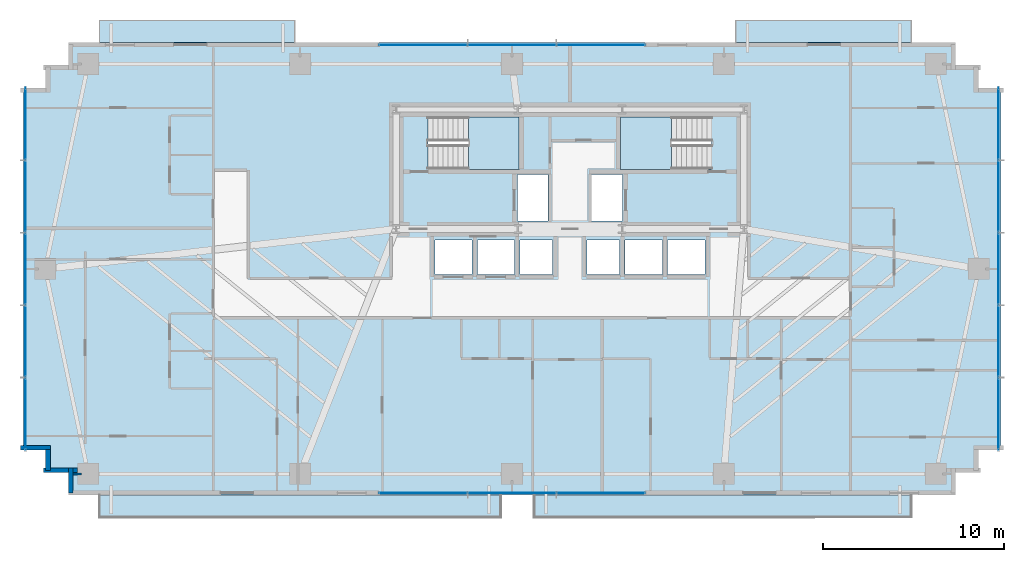
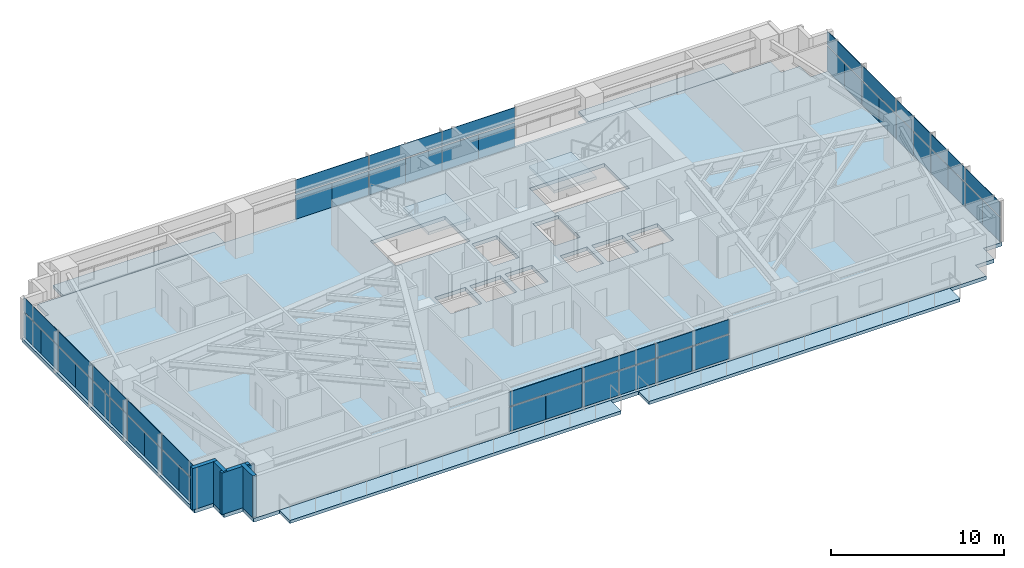
# One storey, part 18 of 25: 48 plates, 7 slabs, 5 walls, 6 elements without a shape of their own.
"""IFC4 building model written with IfcOpenShell, lengths in metres."""

from ifc_helpers import new_model, si_unit, direction, frame, frame_2d, origin, origin_2d, place, context, subcontext, project, spatial, polyline, rectangle, outline, extrude, source, transform, mapped, material, layer, layer_set, type_object, type_shapes, element, aggregate, save


model = new_model("IFC4")

# Units and contexts
model_context = context("Model", 3, precision=1e-05, world=origin(), true_north=direction((0.0, 1.0)))
body_context = subcontext(model_context, "Body", "Model", "MODEL_VIEW")
ifc_project = project(units=[si_unit("LENGTHUNIT", "METRE"), si_unit("AREAUNIT", "SQUARE_METRE"), si_unit("VOLUMEUNIT", "CUBIC_METRE"), si_unit("PLANEANGLEUNIT", "RADIAN"), si_unit("MASSUNIT", "GRAM", prefix="KILO")], contexts=[model_context])

# Site, building, storey
site_placement = place(None, origin())
site = spatial("IfcSite", under=ifc_project, at=site_placement, CompositionType="ELEMENT")
building_placement = place(site_placement, origin())
building = spatial("IfcBuilding", under=site, at=building_placement, Name="Astriad Promenade Condominiums", CompositionType="ELEMENT")
storey_placement = place(building_placement, frame((0.0, 0.0, 35.800048828125)))
storey = spatial("IfcBuildingStorey", under=building, at=storey_placement, Name="L09", CompositionType="ELEMENT", Elevation=35.800048828125)

# Slab
ifc_material_1 = material(Name="Concrete C50/60", Category="concrete")
ifc_layer_1 = layer(ifc_material_1, 0.260009765625)
ifc_layer_set_1 = layer_set([ifc_layer_1], Name="Concrete C50/60")
slab_type_1 = type_object("IfcSlabType", Name="CONCRETE TOWER FLOOR SLAB 260", PredefinedType="FLOOR", material=ifc_layer_set_1)
slab_1_placement = place(storey_placement, frame((0.0, 0.0, -0.260009765625)))
element("IfcSlab", 1, at=slab_1_placement, inside=storey, type_object=slab_type_1, Name="Structural Floor Slab (L09)", PredefinedType="FLOOR", context=body_context, shape_type="SweptSolid", body=[
    extrude(outline(polyline([(8.300048828125, 2.699951171875), (57.300048828125, 2.699951171875), (57.300048828125, 3.949951171875), (58.550048828125, 3.949951171875), (58.550048828125, 5.199951171875), (59.800048828125, 5.199951171875), (59.800048828125, 25.199951171875), (58.550048828125, 25.199951171875), (58.550048828125, 26.449951171875), (57.300048828125, 26.449951171875), (57.300048828125, 27.699951171875), (8.300048828125, 27.699951171875), (8.300048828125, 26.449951171875), (7.050048828125, 26.449951171875), (7.050048828125, 25.199951171875), (5.800048828125, 25.199951171875), (5.800048828125, 5.199951171875), (7.050048828125, 5.199951171875), (7.050048828125, 3.949951171875), (8.300048828125, 3.949951171875), (8.300048828125, 2.699951171875)]), holes=[polyline([(28.175048828125, 20.699951171875), (33.175048828125, 20.699951171875), (33.175048828125, 23.60009765625), (28.175048828125, 23.60009765625), (28.175048828125, 20.699951171875)]), polyline([(38.824951171875, 20.699951171875), (43.824951171875, 20.699951171875), (43.824951171875, 23.60009765625), (38.824951171875, 23.60009765625), (38.824951171875, 20.699951171875)]), polyline([(33.10009765625, 17.85009765625), (34.800048828125, 17.85009765625), (34.800048828125, 20.39990234375), (33.10009765625, 20.39990234375), (33.10009765625, 17.85009765625)]), polyline([(37.199951171875, 17.85009765625), (38.89990234375, 17.85009765625), (38.89990234375, 20.39990234375), (37.199951171875, 20.39990234375), (37.199951171875, 17.85009765625)]), polyline([(28.550048828125, 14.89990234375), (30.60009765625, 14.89990234375), (30.60009765625, 16.800048828125), (28.550048828125, 16.800048828125), (28.550048828125, 14.89990234375)]), polyline([(30.89990234375, 14.89990234375), (32.949951171875, 14.89990234375), (32.949951171875, 16.800048828125), (30.89990234375, 16.800048828125), (30.89990234375, 14.89990234375)]), polyline([(33.25, 14.89990234375), (35.050048828125, 14.89990234375), (35.050048828125, 16.800048828125), (33.25, 16.800048828125), (33.25, 14.89990234375)]), polyline([(36.949951171875, 14.89990234375), (38.75, 14.89990234375), (38.75, 16.800048828125), (36.949951171875, 16.800048828125), (36.949951171875, 14.89990234375)]), polyline([(39.050048828125, 14.89990234375), (41.10009765625, 14.89990234375), (41.10009765625, 16.800048828125), (39.050048828125, 16.800048828125), (39.050048828125, 14.89990234375)]), polyline([(41.39990234375, 14.89990234375), (43.449951171875, 14.89990234375), (43.449951171875, 16.800048828125), (41.39990234375, 16.800048828125), (41.39990234375, 14.89990234375)])]), origin(), (0.0, 0.0, 1.0), 0.260009765625),
])

# Stair, slab
stair_type = type_object("IfcStairType", Name="STR-CORE-1350", PredefinedType="HALF_TURN_STAIR", material=ifc_material_1)
stair_1_placement = place(storey_placement, origin())
stair_1 = element("IfcStair", 2, at=stair_1_placement, inside=storey, type_object=stair_type, Name="L09 Enclosed Core Exit Stair ST-1", PredefinedType="HALF_TURN_STAIR")
ifc_layer_2 = layer(ifc_material_1, 0.219970703125)
ifc_layer_set_2 = layer_set([ifc_layer_2], Name="Concrete C50/60")
slab_type_2 = type_object("IfcSlabType", Name="SLB-LANDING-220", PredefinedType="LANDING", material=ifc_layer_set_2)
slab_2_placement = place(storey_placement, frame((0.0, 0.0, 1.39990234375)))
slab_2 = element("IfcSlab", 3, at=slab_2_placement, type_object=slab_type_2, Name="ST-1 landing 1", PredefinedType="LANDING", context=body_context, shape_type="SweptSolid", body=[
    extrude(outline(polyline([(30.389892578125, 20.699951171875), (33.199951171875, 20.699951171875), (33.199951171875, 23.60009765625), (30.389892578125, 23.60009765625), (30.389892578125, 20.699951171875)])), origin(), (0.0, 0.0, 1.0), 0.199951171875),
])
aggregate(stair_1, [slab_2])

stair_2_placement = place(storey_placement, origin())
stair_2 = element("IfcStair", 4, at=stair_2_placement, inside=storey, type_object=stair_type, Name="L09 Enclosed Core Exit Stair ST-2", PredefinedType="HALF_TURN_STAIR")
slab_3_placement = place(storey_placement, frame((0.0, 0.0, 1.39990234375)))
slab_3 = element("IfcSlab", 5, at=slab_3_placement, type_object=slab_type_2, Name="ST-2 landing 1", PredefinedType="LANDING", context=body_context, shape_type="SweptSolid", body=[
    extrude(outline(polyline([(41.610107421875, 23.60009765625), (38.800048828125, 23.60009765625), (38.800048828125, 20.699951171875), (41.610107421875, 20.699951171875), (41.610107421875, 23.60009765625)])), origin(), (0.0, 0.0, 1.0), 0.199951171875),
])
aggregate(stair_2, [slab_3])

# Slabs
ifc_material_2 = material(Name="Precast concrete C50/60", Category="concrete")
ifc_layer_3 = layer(ifc_material_2, 0.219970703125)
ifc_layer_set_3 = layer_set([ifc_layer_3], Name="Precast concrete C50/60")
slab_type_3 = type_object("IfcSlabType", Name="WHITE PRECAST CONCRETE WAVE BALCONY SLAB 220", PredefinedType="FLOOR", material=ifc_layer_set_3)
slab_4_placement = place(storey_placement, frame((0.0, 0.0, -0.219970703125)))
element("IfcSlab", 6, at=slab_4_placement, inside=storey, type_object=slab_type_3, Name="White Precast Wave Balcony Slab BAL-L09-SW", PredefinedType="FLOOR", context=body_context, shape_type="SweptSolid", body=[
    extrude(outline(polyline([(32.177001953125, 1.47998046875), (10.02197265625, 1.47998046875), (10.02197265625, 2.697998046875), (32.177001953125, 2.697998046875), (32.177001953125, 1.47998046875)])), origin(), (0.0, 0.0, 1.0), 0.219970703125),
])
slab_5_placement = place(storey_placement, frame((0.0, 0.0, -0.219970703125)))
element("IfcSlab", 7, at=slab_5_placement, inside=storey, type_object=slab_type_3, Name="White Precast Wave Balcony Slab BAL-L09-SE", PredefinedType="FLOOR", context=body_context, shape_type="SweptSolid", body=[
    extrude(outline(polyline([(54.85595703125, 1.47998046875), (34.031982421875, 1.47998046875), (34.031982421875, 2.697998046875), (54.85595703125, 2.697998046875), (54.85595703125, 1.47998046875)])), origin(), (0.0, 0.0, 1.0), 0.219970703125),
])
slab_6_placement = place(storey_placement, frame((0.0, 0.0, -0.219970703125)))
element("IfcSlab", 8, at=slab_6_placement, inside=storey, type_object=slab_type_3, Name="White Precast Wave Balcony Slab BAL-L09-NW", PredefinedType="FLOOR", context=body_context, shape_type="SweptSolid", body=[
    extrude(outline(polyline([(10.02197265625, 28.919921875), (20.800048828125, 28.919921875), (20.800048828125, 27.701904296875), (10.02197265625, 27.701904296875), (10.02197265625, 28.919921875)])), origin(), (0.0, 0.0, 1.0), 0.219970703125),
])
slab_7_placement = place(storey_placement, frame((0.0, 0.0, -0.219970703125)))
element("IfcSlab", 9, at=slab_7_placement, inside=storey, type_object=slab_type_3, Name="White Precast Wave Balcony Slab BAL-L09-NE", PredefinedType="FLOOR", context=body_context, shape_type="SweptSolid", body=[
    extrude(outline(polyline([(45.159912109375, 28.919921875), (54.85595703125, 28.919921875), (54.85595703125, 27.701904296875), (45.159912109375, 27.701904296875), (45.159912109375, 28.919921875)])), origin(), (0.0, 0.0, 1.0), 0.219970703125),
])

# Curtain wall, plates
ifc_material_3 = material(Name="Anodised aluminium Black Dark Glass Unitised", Category="aluminium")
curtain_wall_type = type_object("IfcCurtainWallType", Name="CW-B1-DARK", PredefinedType="USERDEFINED", material=ifc_material_3)
curtain_wall_1_placement = place(storey_placement, origin())
curtain_wall_1 = element("IfcCurtainWall", 10, at=curtain_wall_1_placement, inside=storey, type_object=curtain_wall_type, Name="CW-L09-W", ObjectType="UNITISED_CURTAIN_WALL", PredefinedType="USERDEFINED")
ifc_material_4 = material(Name="Dark Tinted Low-E Laminated Glass", Category="glass")
ifc_layer_4 = layer(ifc_material_4, 0.035888671875)
ifc_layer_set_4 = layer_set([ifc_layer_4], Name="Dark Tinted Low-E Laminated Glass")
plate_type = type_object("IfcPlateType", Name="PNL-DARK-GLASS-36", PredefinedType="CURTAIN_PANEL", material=ifc_layer_set_4)
shared_shape_1 = source(origin(), body_context, "Body", "SweptSolid", [
    extrude(rectangle(XDim=1.988037109375, YDim=0.035888671875, at=origin_2d()), origin(), (0.0, 0.0, 1.0), 1.702880859375),
])
plate_1_placement = place(storey_placement, frame((5.929931640625, 6.199951171875, 0.080078125), z_axis=(0.0, 0.0, 1.0), x_axis=(0.0, 1.0, 0.0)))
plate_1 = element("IfcPlate", 11, at=plate_1_placement, type_object=plate_type, Name="CW-L09-W-PNL-00-VL", PredefinedType="CURTAIN_PANEL", context=body_context, shape_type="MappedRepresentation", body=[
    mapped(shared_shape_1, transform((0.0, 0.0, 0.0), scale=1.0)),
])
plate_2_placement = place(storey_placement, frame((5.929931640625, 8.199951171875, 0.080078125), z_axis=(0.0, 0.0, 1.0), x_axis=(0.0, 1.0, 0.0)))
plate_2 = element("IfcPlate", 12, at=plate_2_placement, type_object=plate_type, Name="CW-L09-W-PNL-00-VR", PredefinedType="CURTAIN_PANEL", context=body_context, shape_type="MappedRepresentation", body=[
    mapped(shared_shape_1, transform((0.0, 0.0, 0.0), scale=1.0)),
])
plate_3_placement = place(storey_placement, frame((5.929931640625, 10.199951171875, 0.080078125), z_axis=(0.0, 0.0, 1.0), x_axis=(0.0, 1.0, 0.0)))
plate_3 = element("IfcPlate", 13, at=plate_3_placement, type_object=plate_type, Name="CW-L09-W-PNL-01-VL", PredefinedType="CURTAIN_PANEL", context=body_context, shape_type="MappedRepresentation", body=[
    mapped(shared_shape_1, transform((0.0, 0.0, 0.0), scale=1.0)),
])
plate_4_placement = place(storey_placement, frame((5.929931640625, 12.199951171875, 0.080078125), z_axis=(0.0, 0.0, 1.0), x_axis=(0.0, 1.0, 0.0)))
plate_4 = element("IfcPlate", 14, at=plate_4_placement, type_object=plate_type, Name="CW-L09-W-PNL-01-VR", PredefinedType="CURTAIN_PANEL", context=body_context, shape_type="MappedRepresentation", body=[
    mapped(shared_shape_1, transform((0.0, 0.0, 0.0), scale=1.0)),
])
plate_5_placement = place(storey_placement, frame((5.929931640625, 14.199951171875, 0.080078125), z_axis=(0.0, 0.0, 1.0), x_axis=(0.0, 1.0, 0.0)))
plate_5 = element("IfcPlate", 15, at=plate_5_placement, type_object=plate_type, Name="CW-L09-W-PNL-02-VL", PredefinedType="CURTAIN_PANEL", context=body_context, shape_type="MappedRepresentation", body=[
    mapped(shared_shape_1, transform((0.0, 0.0, 0.0), scale=1.0)),
])
plate_6_placement = place(storey_placement, frame((5.929931640625, 16.199951171875, 0.080078125), z_axis=(0.0, 0.0, 1.0), x_axis=(0.0, 1.0, 0.0)))
plate_6 = element("IfcPlate", 16, at=plate_6_placement, type_object=plate_type, Name="CW-L09-W-PNL-02-VR", PredefinedType="CURTAIN_PANEL", context=body_context, shape_type="MappedRepresentation", body=[
    mapped(shared_shape_1, transform((0.0, 0.0, 0.0), scale=1.0)),
])
plate_7_placement = place(storey_placement, frame((5.929931640625, 18.199951171875, 0.080078125), z_axis=(0.0, 0.0, 1.0), x_axis=(0.0, 1.0, 0.0)))
plate_7 = element("IfcPlate", 17, at=plate_7_placement, type_object=plate_type, Name="CW-L09-W-PNL-03-VL", PredefinedType="CURTAIN_PANEL", context=body_context, shape_type="MappedRepresentation", body=[
    mapped(shared_shape_1, transform((0.0, 0.0, 0.0), scale=1.0)),
])
plate_8_placement = place(storey_placement, frame((5.929931640625, 20.199951171875, 0.080078125), z_axis=(0.0, 0.0, 1.0), x_axis=(0.0, 1.0, 0.0)))
plate_8 = element("IfcPlate", 18, at=plate_8_placement, type_object=plate_type, Name="CW-L09-W-PNL-03-VR", PredefinedType="CURTAIN_PANEL", context=body_context, shape_type="MappedRepresentation", body=[
    mapped(shared_shape_1, transform((0.0, 0.0, 0.0), scale=1.0)),
])
plate_9_placement = place(storey_placement, frame((5.929931640625, 22.199951171875, 0.080078125), z_axis=(0.0, 0.0, 1.0), x_axis=(0.0, 1.0, 0.0)))
plate_9 = element("IfcPlate", 19, at=plate_9_placement, type_object=plate_type, Name="CW-L09-W-PNL-04-VL", PredefinedType="CURTAIN_PANEL", context=body_context, shape_type="MappedRepresentation", body=[
    mapped(shared_shape_1, transform((0.0, 0.0, 0.0), scale=1.0)),
])
plate_10_placement = place(storey_placement, frame((5.929931640625, 24.199951171875, 0.080078125), z_axis=(0.0, 0.0, 1.0), x_axis=(0.0, 1.0, 0.0)))
plate_10 = element("IfcPlate", 20, at=plate_10_placement, type_object=plate_type, Name="CW-L09-W-PNL-04-VR", PredefinedType="CURTAIN_PANEL", context=body_context, shape_type="MappedRepresentation", body=[
    mapped(shared_shape_1, transform((0.0, 0.0, 0.0), scale=1.0)),
])

curtain_wall_2_placement = place(storey_placement, origin())
curtain_wall_2 = element("IfcCurtainWall", 21, at=curtain_wall_2_placement, inside=storey, type_object=curtain_wall_type, Name="CW-L09-E", ObjectType="UNITISED_CURTAIN_WALL", PredefinedType="USERDEFINED")
plate_11_placement = place(storey_placement, frame((59.669921875, 24.199951171875, 0.080078125), z_axis=(0.0, 0.0, 1.0), x_axis=(0.0, -1.0, 0.0)))
plate_11 = element("IfcPlate", 22, at=plate_11_placement, type_object=plate_type, Name="CW-L09-E-PNL-00-VL", PredefinedType="CURTAIN_PANEL", context=body_context, shape_type="MappedRepresentation", body=[
    mapped(shared_shape_1, transform((0.0, 0.0, 0.0), scale=1.0)),
])
plate_12_placement = place(storey_placement, frame((59.669921875, 22.199951171875, 0.080078125), z_axis=(0.0, 0.0, 1.0), x_axis=(0.0, -1.0, 0.0)))
plate_12 = element("IfcPlate", 23, at=plate_12_placement, type_object=plate_type, Name="CW-L09-E-PNL-00-VR", PredefinedType="CURTAIN_PANEL", context=body_context, shape_type="MappedRepresentation", body=[
    mapped(shared_shape_1, transform((0.0, 0.0, 0.0), scale=1.0)),
])
plate_13_placement = place(storey_placement, frame((59.669921875, 20.199951171875, 0.080078125), z_axis=(0.0, 0.0, 1.0), x_axis=(0.0, -1.0, 0.0)))
plate_13 = element("IfcPlate", 24, at=plate_13_placement, type_object=plate_type, Name="CW-L09-E-PNL-01-VL", PredefinedType="CURTAIN_PANEL", context=body_context, shape_type="MappedRepresentation", body=[
    mapped(shared_shape_1, transform((0.0, 0.0, 0.0), scale=1.0)),
])
plate_14_placement = place(storey_placement, frame((59.669921875, 18.199951171875, 0.080078125), z_axis=(0.0, 0.0, 1.0), x_axis=(0.0, -1.0, 0.0)))
plate_14 = element("IfcPlate", 25, at=plate_14_placement, type_object=plate_type, Name="CW-L09-E-PNL-01-VR", PredefinedType="CURTAIN_PANEL", context=body_context, shape_type="MappedRepresentation", body=[
    mapped(shared_shape_1, transform((0.0, 0.0, 0.0), scale=1.0)),
])
plate_15_placement = place(storey_placement, frame((59.669921875, 16.199951171875, 0.080078125), z_axis=(0.0, 0.0, 1.0), x_axis=(0.0, -1.0, 0.0)))
plate_15 = element("IfcPlate", 26, at=plate_15_placement, type_object=plate_type, Name="CW-L09-E-PNL-02-VL", PredefinedType="CURTAIN_PANEL", context=body_context, shape_type="MappedRepresentation", body=[
    mapped(shared_shape_1, transform((0.0, 0.0, 0.0), scale=1.0)),
])
plate_16_placement = place(storey_placement, frame((59.669921875, 14.199951171875, 0.080078125), z_axis=(0.0, 0.0, 1.0), x_axis=(0.0, -1.0, 0.0)))
plate_16 = element("IfcPlate", 27, at=plate_16_placement, type_object=plate_type, Name="CW-L09-E-PNL-02-VR", PredefinedType="CURTAIN_PANEL", context=body_context, shape_type="MappedRepresentation", body=[
    mapped(shared_shape_1, transform((0.0, 0.0, 0.0), scale=1.0)),
])
plate_17_placement = place(storey_placement, frame((59.669921875, 12.199951171875, 0.080078125), z_axis=(0.0, 0.0, 1.0), x_axis=(0.0, -1.0, 0.0)))
plate_17 = element("IfcPlate", 28, at=plate_17_placement, type_object=plate_type, Name="CW-L09-E-PNL-03-VL", PredefinedType="CURTAIN_PANEL", context=body_context, shape_type="MappedRepresentation", body=[
    mapped(shared_shape_1, transform((0.0, 0.0, 0.0), scale=1.0)),
])
plate_18_placement = place(storey_placement, frame((59.669921875, 10.199951171875, 0.080078125), z_axis=(0.0, 0.0, 1.0), x_axis=(0.0, -1.0, 0.0)))
plate_18 = element("IfcPlate", 29, at=plate_18_placement, type_object=plate_type, Name="CW-L09-E-PNL-03-VR", PredefinedType="CURTAIN_PANEL", context=body_context, shape_type="MappedRepresentation", body=[
    mapped(shared_shape_1, transform((0.0, 0.0, 0.0), scale=1.0)),
])
plate_19_placement = place(storey_placement, frame((59.669921875, 8.199951171875, 0.080078125), z_axis=(0.0, 0.0, 1.0), x_axis=(0.0, -1.0, 0.0)))
plate_19 = element("IfcPlate", 30, at=plate_19_placement, type_object=plate_type, Name="CW-L09-E-PNL-04-VL", PredefinedType="CURTAIN_PANEL", context=body_context, shape_type="MappedRepresentation", body=[
    mapped(shared_shape_1, transform((0.0, 0.0, 0.0), scale=1.0)),
])
plate_20_placement = place(storey_placement, frame((59.669921875, 6.199951171875, 0.080078125), z_axis=(0.0, 0.0, 1.0), x_axis=(0.0, -1.0, 0.0)))
plate_20 = element("IfcPlate", 31, at=plate_20_placement, type_object=plate_type, Name="CW-L09-E-PNL-04-VR", PredefinedType="CURTAIN_PANEL", context=body_context, shape_type="MappedRepresentation", body=[
    mapped(shared_shape_1, transform((0.0, 0.0, 0.0), scale=1.0)),
])

# Plate
shared_shape_2 = source(origin(), body_context, "Body", "SweptSolid", [
    extrude(rectangle(XDim=3.988037109375, YDim=0.035888671875, at=origin_2d()), origin(), (0.0, 0.0, 1.0), 0.997314453125),
])
plate_21_placement = place(storey_placement, frame((5.929931640625, 7.199951171875, 1.86279296875), z_axis=(0.0, 0.0, 1.0), x_axis=(0.0, 1.0, 0.0)))
plate_21 = element("IfcPlate", 32, at=plate_21_placement, type_object=plate_type, Name="CW-L09-W-PNL-00-S", PredefinedType="CURTAIN_PANEL", context=body_context, shape_type="MappedRepresentation", body=[
    mapped(shared_shape_2, transform((0.0, 0.0, 0.0), scale=1.0)),
])

plate_22_placement = place(storey_placement, frame((5.929931640625, 11.199951171875, 1.86279296875), z_axis=(0.0, 0.0, 1.0), x_axis=(0.0, 1.0, 0.0)))
plate_22 = element("IfcPlate", 33, at=plate_22_placement, type_object=plate_type, Name="CW-L09-W-PNL-01-S", PredefinedType="CURTAIN_PANEL", context=body_context, shape_type="MappedRepresentation", body=[
    mapped(shared_shape_2, transform((0.0, 0.0, 0.0), scale=1.0)),
])

plate_23_placement = place(storey_placement, frame((5.929931640625, 15.199951171875, 1.86279296875), z_axis=(0.0, 0.0, 1.0), x_axis=(0.0, 1.0, 0.0)))
plate_23 = element("IfcPlate", 34, at=plate_23_placement, type_object=plate_type, Name="CW-L09-W-PNL-02-S", PredefinedType="CURTAIN_PANEL", context=body_context, shape_type="MappedRepresentation", body=[
    mapped(shared_shape_2, transform((0.0, 0.0, 0.0), scale=1.0)),
])

plate_24_placement = place(storey_placement, frame((5.929931640625, 19.199951171875, 1.86279296875), z_axis=(0.0, 0.0, 1.0), x_axis=(0.0, 1.0, 0.0)))
plate_24 = element("IfcPlate", 35, at=plate_24_placement, type_object=plate_type, Name="CW-L09-W-PNL-03-S", PredefinedType="CURTAIN_PANEL", context=body_context, shape_type="MappedRepresentation", body=[
    mapped(shared_shape_2, transform((0.0, 0.0, 0.0), scale=1.0)),
])

plate_25_placement = place(storey_placement, frame((5.929931640625, 23.199951171875, 1.86279296875), z_axis=(0.0, 0.0, 1.0), x_axis=(0.0, 1.0, 0.0)))
plate_25 = element("IfcPlate", 36, at=plate_25_placement, type_object=plate_type, Name="CW-L09-W-PNL-04-S", PredefinedType="CURTAIN_PANEL", context=body_context, shape_type="MappedRepresentation", body=[
    mapped(shared_shape_2, transform((0.0, 0.0, 0.0), scale=1.0)),
])

aggregate(curtain_wall_1, [plate_1, plate_2, plate_21, plate_3, plate_4, plate_22, plate_5, plate_6, plate_23, plate_7, plate_8, plate_24, plate_9, plate_10, plate_25])

plate_26_placement = place(storey_placement, frame((59.669921875, 23.199951171875, 1.86279296875), z_axis=(0.0, 0.0, 1.0), x_axis=(0.0, -1.0, 0.0)))
plate_26 = element("IfcPlate", 37, at=plate_26_placement, type_object=plate_type, Name="CW-L09-E-PNL-00-S", PredefinedType="CURTAIN_PANEL", context=body_context, shape_type="MappedRepresentation", body=[
    mapped(shared_shape_2, transform((0.0, 0.0, 0.0), scale=1.0)),
])

plate_27_placement = place(storey_placement, frame((59.669921875, 19.199951171875, 1.86279296875), z_axis=(0.0, 0.0, 1.0), x_axis=(0.0, -1.0, 0.0)))
plate_27 = element("IfcPlate", 38, at=plate_27_placement, type_object=plate_type, Name="CW-L09-E-PNL-01-S", PredefinedType="CURTAIN_PANEL", context=body_context, shape_type="MappedRepresentation", body=[
    mapped(shared_shape_2, transform((0.0, 0.0, 0.0), scale=1.0)),
])

plate_28_placement = place(storey_placement, frame((59.669921875, 15.199951171875, 1.86279296875), z_axis=(0.0, 0.0, 1.0), x_axis=(0.0, -1.0, 0.0)))
plate_28 = element("IfcPlate", 39, at=plate_28_placement, type_object=plate_type, Name="CW-L09-E-PNL-02-S", PredefinedType="CURTAIN_PANEL", context=body_context, shape_type="MappedRepresentation", body=[
    mapped(shared_shape_2, transform((0.0, 0.0, 0.0), scale=1.0)),
])

plate_29_placement = place(storey_placement, frame((59.669921875, 11.199951171875, 1.86279296875), z_axis=(0.0, 0.0, 1.0), x_axis=(0.0, -1.0, 0.0)))
plate_29 = element("IfcPlate", 40, at=plate_29_placement, type_object=plate_type, Name="CW-L09-E-PNL-03-S", PredefinedType="CURTAIN_PANEL", context=body_context, shape_type="MappedRepresentation", body=[
    mapped(shared_shape_2, transform((0.0, 0.0, 0.0), scale=1.0)),
])

plate_30_placement = place(storey_placement, frame((59.669921875, 7.199951171875, 1.86279296875), z_axis=(0.0, 0.0, 1.0), x_axis=(0.0, -1.0, 0.0)))
plate_30 = element("IfcPlate", 41, at=plate_30_placement, type_object=plate_type, Name="CW-L09-E-PNL-04-S", PredefinedType="CURTAIN_PANEL", context=body_context, shape_type="MappedRepresentation", body=[
    mapped(shared_shape_2, transform((0.0, 0.0, 0.0), scale=1.0)),
])

aggregate(curtain_wall_2, [plate_11, plate_12, plate_26, plate_13, plate_14, plate_27, plate_15, plate_16, plate_28, plate_17, plate_18, plate_29, plate_19, plate_20, plate_30])

# Curtain wall, plates
curtain_wall_3_placement = place(storey_placement, origin())
curtain_wall_3 = element("IfcCurtainWall", 42, at=curtain_wall_3_placement, inside=storey, type_object=curtain_wall_type, Name="CW-L09-N", ObjectType="UNITISED_CURTAIN_WALL", PredefinedType="USERDEFINED")
shared_shape_3 = source(origin(), body_context, "Body", "SweptSolid", [
    extrude(rectangle(XDim=2.43798828125, YDim=0.035888671875, at=origin_2d()), origin(), (0.0, 0.0, 1.0), 1.702880859375),
])
plate_31_placement = place(storey_placement, frame((26.675048828125, 27.570068359375, 0.080078125), z_axis=(0.0, 0.0, 1.0), x_axis=(1.0, 0.0, 0.0)))
plate_31 = element("IfcPlate", 43, at=plate_31_placement, type_object=plate_type, Name="CW-L09-N-PNL-00-VL", PredefinedType="CURTAIN_PANEL", context=body_context, shape_type="MappedRepresentation", body=[
    mapped(shared_shape_3, transform((0.0, 0.0, 0.0), scale=1.0)),
])
plate_32_placement = place(storey_placement, frame((29.125, 27.570068359375, 0.080078125), z_axis=(0.0, 0.0, 1.0), x_axis=(1.0, 0.0, 0.0)))
plate_32 = element("IfcPlate", 44, at=plate_32_placement, type_object=plate_type, Name="CW-L09-N-PNL-00-VR", PredefinedType="CURTAIN_PANEL", context=body_context, shape_type="MappedRepresentation", body=[
    mapped(shared_shape_3, transform((0.0, 0.0, 0.0), scale=1.0)),
])
plate_33_placement = place(storey_placement, frame((31.574951171875, 27.570068359375, 0.080078125), z_axis=(0.0, 0.0, 1.0), x_axis=(1.0, 0.0, 0.0)))
plate_33 = element("IfcPlate", 45, at=plate_33_placement, type_object=plate_type, Name="CW-L09-N-PNL-01-VL", PredefinedType="CURTAIN_PANEL", context=body_context, shape_type="MappedRepresentation", body=[
    mapped(shared_shape_3, transform((0.0, 0.0, 0.0), scale=1.0)),
])
plate_34_placement = place(storey_placement, frame((34.02490234375, 27.570068359375, 0.080078125), z_axis=(0.0, 0.0, 1.0), x_axis=(1.0, 0.0, 0.0)))
plate_34 = element("IfcPlate", 46, at=plate_34_placement, type_object=plate_type, Name="CW-L09-N-PNL-01-VR", PredefinedType="CURTAIN_PANEL", context=body_context, shape_type="MappedRepresentation", body=[
    mapped(shared_shape_3, transform((0.0, 0.0, 0.0), scale=1.0)),
])
plate_35_placement = place(storey_placement, frame((36.47509765625, 27.570068359375, 0.080078125), z_axis=(0.0, 0.0, 1.0), x_axis=(1.0, 0.0, 0.0)))
plate_35 = element("IfcPlate", 47, at=plate_35_placement, type_object=plate_type, Name="CW-L09-N-PNL-02-VL", PredefinedType="CURTAIN_PANEL", context=body_context, shape_type="MappedRepresentation", body=[
    mapped(shared_shape_3, transform((0.0, 0.0, 0.0), scale=1.0)),
])
plate_36_placement = place(storey_placement, frame((38.925048828125, 27.570068359375, 0.080078125), z_axis=(0.0, 0.0, 1.0), x_axis=(1.0, 0.0, 0.0)))
plate_36 = element("IfcPlate", 48, at=plate_36_placement, type_object=plate_type, Name="CW-L09-N-PNL-02-VR", PredefinedType="CURTAIN_PANEL", context=body_context, shape_type="MappedRepresentation", body=[
    mapped(shared_shape_3, transform((0.0, 0.0, 0.0), scale=1.0)),
])

curtain_wall_4_placement = place(storey_placement, origin())
curtain_wall_4 = element("IfcCurtainWall", 49, at=curtain_wall_4_placement, inside=storey, type_object=curtain_wall_type, Name="CW-L09-S", ObjectType="UNITISED_CURTAIN_WALL", PredefinedType="USERDEFINED")
plate_37_placement = place(storey_placement, frame((38.925048828125, 2.830078125, 0.080078125), z_axis=(0.0, 0.0, 1.0), x_axis=(-1.0, 0.0, 0.0)))
plate_37 = element("IfcPlate", 50, at=plate_37_placement, type_object=plate_type, Name="CW-L09-S-PNL-00-VL", PredefinedType="CURTAIN_PANEL", context=body_context, shape_type="MappedRepresentation", body=[
    mapped(shared_shape_3, transform((0.0, 0.0, 0.0), scale=1.0)),
])
plate_38_placement = place(storey_placement, frame((36.47509765625, 2.830078125, 0.080078125), z_axis=(0.0, 0.0, 1.0), x_axis=(-1.0, 0.0, 0.0)))
plate_38 = element("IfcPlate", 51, at=plate_38_placement, type_object=plate_type, Name="CW-L09-S-PNL-00-VR", PredefinedType="CURTAIN_PANEL", context=body_context, shape_type="MappedRepresentation", body=[
    mapped(shared_shape_3, transform((0.0, 0.0, 0.0), scale=1.0)),
])
plate_39_placement = place(storey_placement, frame((34.02490234375, 2.830078125, 0.080078125), z_axis=(0.0, 0.0, 1.0), x_axis=(-1.0, 0.0, 0.0)))
plate_39 = element("IfcPlate", 52, at=plate_39_placement, type_object=plate_type, Name="CW-L09-S-PNL-01-VL", PredefinedType="CURTAIN_PANEL", context=body_context, shape_type="MappedRepresentation", body=[
    mapped(shared_shape_3, transform((0.0, 0.0, 0.0), scale=1.0)),
])
plate_40_placement = place(storey_placement, frame((31.574951171875, 2.830078125, 0.080078125), z_axis=(0.0, 0.0, 1.0), x_axis=(-1.0, 0.0, 0.0)))
plate_40 = element("IfcPlate", 53, at=plate_40_placement, type_object=plate_type, Name="CW-L09-S-PNL-01-VR", PredefinedType="CURTAIN_PANEL", context=body_context, shape_type="MappedRepresentation", body=[
    mapped(shared_shape_3, transform((0.0, 0.0, 0.0), scale=1.0)),
])
plate_41_placement = place(storey_placement, frame((29.125, 2.830078125, 0.080078125), z_axis=(0.0, 0.0, 1.0), x_axis=(-1.0, 0.0, 0.0)))
plate_41 = element("IfcPlate", 54, at=plate_41_placement, type_object=plate_type, Name="CW-L09-S-PNL-02-VL", PredefinedType="CURTAIN_PANEL", context=body_context, shape_type="MappedRepresentation", body=[
    mapped(shared_shape_3, transform((0.0, 0.0, 0.0), scale=1.0)),
])
plate_42_placement = place(storey_placement, frame((26.675048828125, 2.830078125, 0.080078125), z_axis=(0.0, 0.0, 1.0), x_axis=(-1.0, 0.0, 0.0)))
plate_42 = element("IfcPlate", 55, at=plate_42_placement, type_object=plate_type, Name="CW-L09-S-PNL-02-VR", PredefinedType="CURTAIN_PANEL", context=body_context, shape_type="MappedRepresentation", body=[
    mapped(shared_shape_3, transform((0.0, 0.0, 0.0), scale=1.0)),
])

# Plate
shared_shape_4 = source(origin(), body_context, "Body", "SweptSolid", [
    extrude(rectangle(XDim=4.887939453125, YDim=0.035888671875, at=origin_2d()), origin(), (0.0, 0.0, 1.0), 0.997314453125),
])
type_shapes(plate_type, [shared_shape_1, shared_shape_2, shared_shape_3, shared_shape_4])
plate_43_placement = place(storey_placement, frame((27.89990234375, 27.570068359375, 1.86279296875), z_axis=(0.0, 0.0, 1.0), x_axis=(1.0, 0.0, 0.0)))
plate_43 = element("IfcPlate", 56, at=plate_43_placement, type_object=plate_type, Name="CW-L09-N-PNL-00-S", PredefinedType="CURTAIN_PANEL", context=body_context, shape_type="MappedRepresentation", body=[
    mapped(shared_shape_4, transform((0.0, 0.0, 0.0), scale=1.0)),
])

plate_44_placement = place(storey_placement, frame((32.800048828125, 27.570068359375, 1.86279296875), z_axis=(0.0, 0.0, 1.0), x_axis=(1.0, 0.0, 0.0)))
plate_44 = element("IfcPlate", 57, at=plate_44_placement, type_object=plate_type, Name="CW-L09-N-PNL-01-S", PredefinedType="CURTAIN_PANEL", context=body_context, shape_type="MappedRepresentation", body=[
    mapped(shared_shape_4, transform((0.0, 0.0, 0.0), scale=1.0)),
])

plate_45_placement = place(storey_placement, frame((37.699951171875, 27.570068359375, 1.86279296875), z_axis=(0.0, 0.0, 1.0), x_axis=(1.0, 0.0, 0.0)))
plate_45 = element("IfcPlate", 58, at=plate_45_placement, type_object=plate_type, Name="CW-L09-N-PNL-02-S", PredefinedType="CURTAIN_PANEL", context=body_context, shape_type="MappedRepresentation", body=[
    mapped(shared_shape_4, transform((0.0, 0.0, 0.0), scale=1.0)),
])

aggregate(curtain_wall_3, [plate_31, plate_32, plate_43, plate_33, plate_34, plate_44, plate_35, plate_36, plate_45])

plate_46_placement = place(storey_placement, frame((37.699951171875, 2.830078125, 1.86279296875), z_axis=(0.0, 0.0, 1.0), x_axis=(-1.0, 0.0, 0.0)))
plate_46 = element("IfcPlate", 59, at=plate_46_placement, type_object=plate_type, Name="CW-L09-S-PNL-00-S", PredefinedType="CURTAIN_PANEL", context=body_context, shape_type="MappedRepresentation", body=[
    mapped(shared_shape_4, transform((0.0, 0.0, 0.0), scale=1.0)),
])

plate_47_placement = place(storey_placement, frame((32.800048828125, 2.830078125, 1.86279296875), z_axis=(0.0, 0.0, 1.0), x_axis=(-1.0, 0.0, 0.0)))
plate_47 = element("IfcPlate", 60, at=plate_47_placement, type_object=plate_type, Name="CW-L09-S-PNL-01-S", PredefinedType="CURTAIN_PANEL", context=body_context, shape_type="MappedRepresentation", body=[
    mapped(shared_shape_4, transform((0.0, 0.0, 0.0), scale=1.0)),
])

plate_48_placement = place(storey_placement, frame((27.89990234375, 2.830078125, 1.86279296875), z_axis=(0.0, 0.0, 1.0), x_axis=(-1.0, 0.0, 0.0)))
plate_48 = element("IfcPlate", 61, at=plate_48_placement, type_object=plate_type, Name="CW-L09-S-PNL-02-S", PredefinedType="CURTAIN_PANEL", context=body_context, shape_type="MappedRepresentation", body=[
    mapped(shared_shape_4, transform((0.0, 0.0, 0.0), scale=1.0)),
])

aggregate(curtain_wall_4, [plate_37, plate_38, plate_46, plate_39, plate_40, plate_47, plate_41, plate_42, plate_48])

# Walls
ifc_layer_5 = layer(ifc_material_2, 0.260009765625)
ifc_layer_set_5 = layer_set([ifc_layer_5], Name="Precast concrete C50/60")
wall_type_1 = type_object("IfcWallType", Name="WALL-EXT-TWR-260", PredefinedType="STANDARD", material=ifc_layer_set_5)
wall_1_placement = place(storey_placement, frame((8.798095703125, 4.080078125, 0.0), z_axis=(0.0, 0.0, 1.0), x_axis=(-1.0, 0.0, 0.0)))
element("IfcWall", 62, at=wall_1_placement, inside=storey, type_object=wall_type_1, Name="W-SER-L09-00", PredefinedType="STANDARD", context=body_context, shape_type="SweptSolid", body=[
    extrude(rectangle(XDim=1.878173828125, YDim=0.260009765625, at=frame_2d((0.93896484375, 0.0))), origin(), (0.0, 0.0, 1.0), 2.93994140625),
])
wall_2_placement = place(storey_placement, frame((7.179931640625, 4.06494140625, 0.0), z_axis=(0.0, 0.0, 1.0), x_axis=(0.0, 1.0, 0.0)))
element("IfcWall", 63, at=wall_2_placement, inside=storey, type_object=wall_type_1, Name="W-SER-L09-01", PredefinedType="STANDARD", context=body_context, shape_type="SweptSolid", body=[
    extrude(rectangle(XDim=1.150146484375, YDim=0.260009765625, at=frame_2d((0.5751953125, 0.0))), origin(), (0.0, 0.0, 1.0), 2.93994140625),
])
wall_3_placement = place(storey_placement, frame((7.31005859375, 5.330078125, 0.0), z_axis=(0.0, 0.0, 1.0), x_axis=(-1.0, 0.0, 0.0)))
element("IfcWall", 64, at=wall_3_placement, inside=storey, type_object=wall_type_1, Name="W-SER-L09-02", PredefinedType="STANDARD", context=body_context, shape_type="SweptSolid", body=[
    extrude(rectangle(XDim=1.64013671875, YDim=0.260009765625, at=frame_2d((0.820068359375, 0.0))), origin(), (0.0, 0.0, 1.0), 2.93994140625),
])
wall_4_placement = place(storey_placement, frame((8.429931640625, 2.81494140625, 0.0), z_axis=(0.0, 0.0, 1.0), x_axis=(0.0, 1.0, 0.0)))
element("IfcWall", 65, at=wall_4_placement, inside=storey, type_object=wall_type_1, Name="W-SER-L09-19", PredefinedType="STANDARD", context=body_context, shape_type="SweptSolid", body=[
    extrude(rectangle(XDim=1.39501953125, YDim=0.260009765625, at=frame_2d((0.697509765625, 0.0))), origin(), (0.0, 0.0, 1.0), 2.93994140625),
])
ifc_material_5 = material(Name="Acoustic Metal-Stud Gypsum Partition")
ifc_layer_6 = layer(ifc_material_5, 0.1201171875)
ifc_layer_set_6 = layer_set([ifc_layer_6], Name="Acoustic Metal-Stud Gypsum Partition")
wall_type_2 = type_object("IfcWallType", Name="WALL-PART-120", PredefinedType="PARTITIONING", material=ifc_layer_set_6)
wall_5_placement = place(storey_placement, frame((9.02001953125, 3.8798828125, 0.0), z_axis=(0.0, 0.0, 1.0), x_axis=(-1.0, 0.0, 0.0)))
element("IfcWall", 66, at=wall_5_placement, inside=storey, type_object=wall_type_2, Name="PT-PIL-L09-PC01-8", PredefinedType="PARTITIONING", context=body_context, shape_type="SweptSolid", body=[
    extrude(rectangle(XDim=0.4580078125, YDim=0.1201171875, at=frame_2d((0.22900390625, 0.0))), origin(), (0.0, 0.0, 1.0), 2.93994140625),
])

save(model, "model.ifc")
